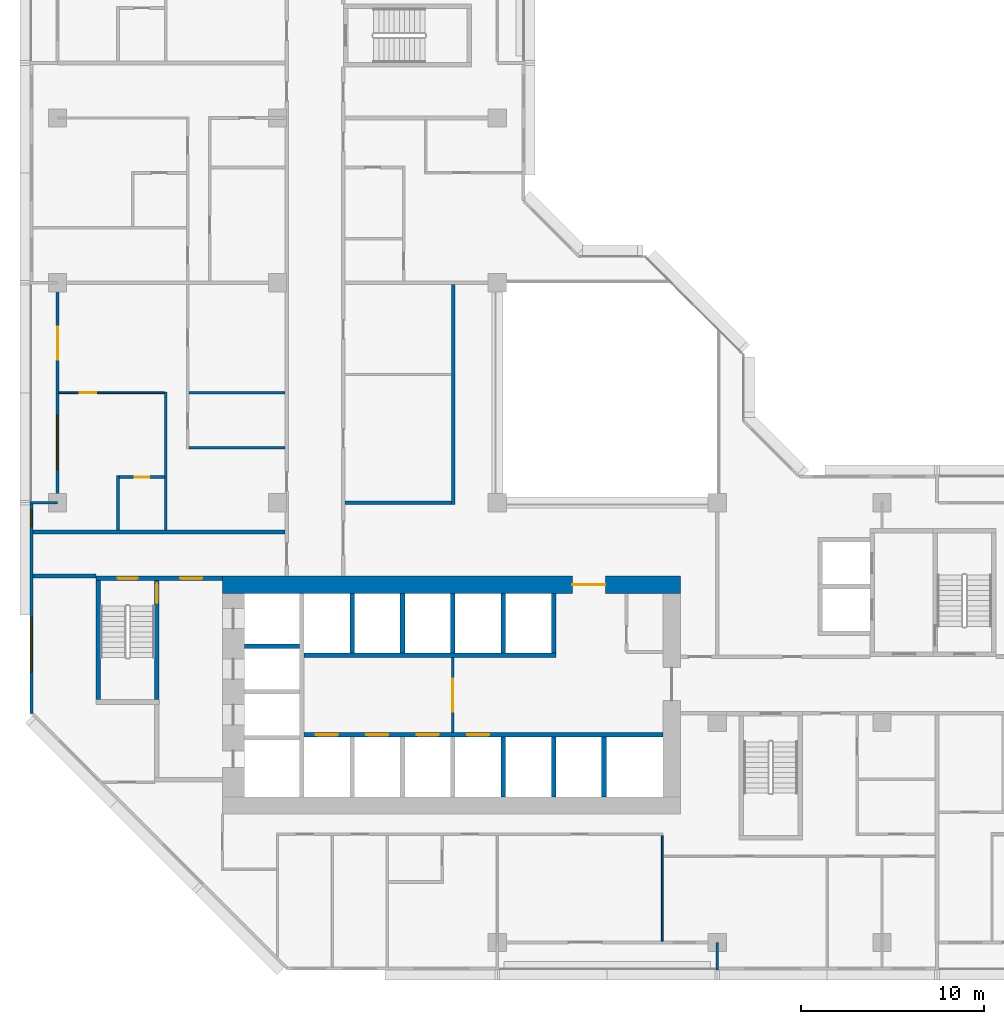
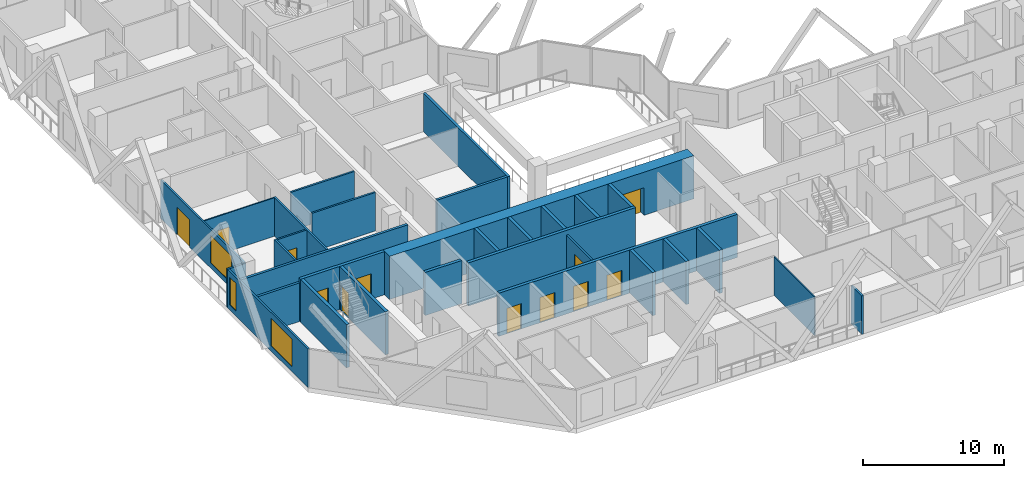
# One storey, part 5 of 15: 31 walls, 12 doors, 3 windows, 15 openings.
"""IFC4 building model written with IfcOpenShell, lengths in metres."""

from ifc_helpers import new_model, si_unit, direction, frame, frame_2d, origin, place, context, subcontext, project, spatial, rectangle, extrude, material, layer, layer_set, type_object, element, fill, save


model = new_model("IFC4")

# Units and contexts
model_context = context("Model", 3, precision=1e-05, world=origin(), true_north=direction((0.0, 1.0)))
body_context = subcontext(model_context, "Body", "Model", "MODEL_VIEW")
ifc_project = project(units=[si_unit("LENGTHUNIT", "METRE"), si_unit("AREAUNIT", "SQUARE_METRE"), si_unit("VOLUMEUNIT", "CUBIC_METRE"), si_unit("PLANEANGLEUNIT", "RADIAN"), si_unit("MASSUNIT", "GRAM", prefix="KILO")], contexts=[model_context])

# Site, building, storey
site_placement = place(None, origin())
site = spatial("IfcSite", under=ifc_project, at=site_placement, CompositionType="ELEMENT")
building_placement = place(site_placement, origin())
building = spatial("IfcBuilding", under=site, at=building_placement, Name="Chenar Terraces", CompositionType="ELEMENT")
storey_placement = place(building_placement, frame((0.0, 0.0, 106.89990234375)))
storey = spatial("IfcBuildingStorey", under=building, at=storey_placement, Name="L24", CompositionType="ELEMENT", Elevation=106.89990234375)

# Wall, opening, door
ifc_material_1 = material(Name="Gypsum board on steel studs", Category="steel")
ifc_layer_1 = layer(ifc_material_1, 0.14990234375)
ifc_layer_set_1 = layer_set([ifc_layer_1], Name="Gypsum board on steel studs")
wall_type_1 = type_object("IfcWallType", Name="Core partition 150 gypsum board", PredefinedType="PARTITIONING", material=ifc_layer_set_1)
wall_1_placement = place(storey_placement, frame((21.574951171875, 11.449951171875, 0.0), z_axis=(0.0, 0.0, 1.0), x_axis=(0.0, 1.0, 0.0)))
wall_1 = element("IfcWall", 1, at=wall_1_placement, inside=storey, type_object=wall_type_1, Name="Core partition CP1 lift lobby smoke stop", PredefinedType="PARTITIONING", context=body_context, shape_type="SweptSolid", body=[
    extrude(rectangle(XDim=4.10009765625, YDim=0.14990234375, at=frame_2d((2.050048828125, 0.0))), origin(), (0.0, 0.0, 1.0), 3.35009765625),
])
opening_1_placement = place(wall_1_placement, frame((1.14990234375, 0.0, 0.0)))
opening_1 = element("IfcOpeningElement", 2, at=opening_1_placement, cuts=wall_1, Name="Opening DL24-C12", PredefinedType="OPENING", context=body_context, shape_type="SweptSolid", body=[
    extrude(rectangle(XDim=1.800048828125, YDim=2.39990234375, at=frame_2d((0.89990234375, 1.199951171875))), frame((0.0, 0.0849609375, 0.0), z_axis=(0.0, -1.0, 0.0), x_axis=(1.0, 0.0, 0.0)), (0.0, 0.0, 1.0), 0.169921875),
])
ifc_material_2 = material(Name="Steel-framed fire-resisting door leaf", Category="steel")
door_type_1 = type_object("IfcDoorType", Name="Core entrance double fire door FD60 1800 x 2400", OperationType="DOUBLE_DOOR_SINGLE_SWING", PredefinedType="DOOR", material=ifc_material_2)
door_1_placement = place(opening_1_placement, frame((1.800048828125, 0.0, 0.0), z_axis=(0.0, 0.0, 1.0), x_axis=(-1.0, 0.0, 0.0)))
door_1 = element("IfcDoor", 3, at=door_1_placement, inside=storey, type_object=door_type_1, Name="Core door DL24-C12", OperationType="DOUBLE_DOOR_SINGLE_SWING", OverallHeight=2.39990234375, OverallWidth=1.800048828125, PredefinedType="DOOR", context=body_context, shape_type="SweptSolid", body=[
    extrude(rectangle(XDim=1.800048828125, YDim=2.39990234375, at=frame_2d((0.89990234375, 1.199951171875))), frame((0.0, 0.02490234375, 0.0), z_axis=(0.0, -1.0, 0.0), x_axis=(1.0, 0.0, 0.0)), (0.0, 0.0, 1.0), 0.050048828125),
])
fill(opening_1, door_1)

# Wall, openings, doors
ifc_material_3 = material(Name="Concrete C70/85", Category="concrete")
ifc_layer_2 = layer(ifc_material_3, 0.25)
ifc_layer_set_2 = layer_set([ifc_layer_2], Name="Concrete C70/85")
wall_type_2 = type_object("IfcWallType", Name="Core wall 250 Concrete C70/85", PredefinedType="SHEAR", material=ifc_layer_set_2)
wall_2_placement = place(storey_placement, frame((13.449951171875, 11.324951171875, 0.0), z_axis=(0.0, 0.0, 1.0), x_axis=(1.0, 0.0, 0.0)))
wall_2 = element("IfcWall", 4, at=wall_2_placement, inside=storey, type_object=wall_type_2, Name="Core wall SF L24", PredefinedType="SHEAR", context=body_context, shape_type="SweptSolid", body=[
    extrude(rectangle(XDim=19.60009765625, YDim=0.25, at=frame_2d((9.800048828125, 0.0))), origin(), (0.0, 0.0, 1.0), 3.75),
])
opening_2_placement = place(wall_2_placement, frame((0.64990234375, 0.0, 0.0)))
opening_2 = element("IfcOpeningElement", 5, at=opening_2_placement, cuts=wall_2, Name="Opening DL24-LD1", PredefinedType="OPENING", context=body_context, shape_type="SweptSolid", body=[
    extrude(rectangle(XDim=1.199951171875, YDim=2.199951171875, at=frame_2d((0.60009765625, 1.10009765625))), frame((0.0, 0.135009765625, 0.0), z_axis=(0.0, -1.0, 0.0), x_axis=(1.0, 0.0, 0.0)), (0.0, 0.0, 1.0), 0.27001953125),
])
opening_3_placement = place(wall_2_placement, frame((3.39990234375, 0.0, 0.0)))
opening_3 = element("IfcOpeningElement", 6, at=opening_3_placement, cuts=wall_2, Name="Opening DL24-LD2", PredefinedType="OPENING", context=body_context, shape_type="SweptSolid", body=[
    extrude(rectangle(XDim=1.199951171875, YDim=2.199951171875, at=frame_2d((0.60009765625, 1.10009765625))), frame((0.0, 0.135009765625, 0.0), z_axis=(0.0, -1.0, 0.0), x_axis=(1.0, 0.0, 0.0)), (0.0, 0.0, 1.0), 0.27001953125),
])
opening_4_placement = place(wall_2_placement, frame((6.14990234375, 0.0, 0.0)))
opening_4 = element("IfcOpeningElement", 7, at=opening_4_placement, cuts=wall_2, Name="Opening DL24-LD3", PredefinedType="OPENING", context=body_context, shape_type="SweptSolid", body=[
    extrude(rectangle(XDim=1.199951171875, YDim=2.199951171875, at=frame_2d((0.60009765625, 1.10009765625))), frame((0.0, 0.135009765625, 0.0), z_axis=(0.0, -1.0, 0.0), x_axis=(1.0, 0.0, 0.0)), (0.0, 0.0, 1.0), 0.27001953125),
])
opening_5_placement = place(wall_2_placement, frame((8.89990234375, 0.0, 0.0)))
opening_5 = element("IfcOpeningElement", 8, at=opening_5_placement, cuts=wall_2, Name="Opening DL24-LD4", PredefinedType="OPENING", context=body_context, shape_type="SweptSolid", body=[
    extrude(rectangle(XDim=1.199951171875, YDim=2.199951171875, at=frame_2d((0.60009765625, 1.10009765625))), frame((0.0, 0.135009765625, 0.0), z_axis=(0.0, -1.0, 0.0), x_axis=(1.0, 0.0, 0.0)), (0.0, 0.0, 1.0), 0.27001953125),
])
ifc_material_4 = material(Name="Stainless steel", Category="steel")
door_type_2 = type_object("IfcDoorType", Name="Lift landing door 1200 x 2200 sliding", OperationType="DOUBLE_DOOR_SLIDING", PredefinedType="DOOR", material=ifc_material_4)
door_2_placement = place(opening_2_placement, origin())
door_2 = element("IfcDoor", 9, at=door_2_placement, inside=storey, type_object=door_type_2, Name="Landing door L1", OperationType="DOUBLE_DOOR_SLIDING", OverallHeight=2.199951171875, OverallWidth=1.199951171875, PredefinedType="DOOR", context=body_context, shape_type="SweptSolid", body=[
    extrude(rectangle(XDim=1.199951171875, YDim=2.199951171875, at=frame_2d((0.60009765625, 1.10009765625))), frame((0.0, 0.02490234375, 0.0), z_axis=(0.0, -1.0, 0.0), x_axis=(1.0, 0.0, 0.0)), (0.0, 0.0, 1.0), 0.050048828125),
])
fill(opening_2, door_2)
door_3_placement = place(opening_3_placement, origin())
door_3 = element("IfcDoor", 10, at=door_3_placement, inside=storey, type_object=door_type_2, Name="Landing door L2", OperationType="DOUBLE_DOOR_SLIDING", OverallHeight=2.199951171875, OverallWidth=1.199951171875, PredefinedType="DOOR", context=body_context, shape_type="SweptSolid", body=[
    extrude(rectangle(XDim=1.199951171875, YDim=2.199951171875, at=frame_2d((0.60009765625, 1.10009765625))), frame((0.0, 0.02490234375, 0.0), z_axis=(0.0, -1.0, 0.0), x_axis=(1.0, 0.0, 0.0)), (0.0, 0.0, 1.0), 0.050048828125),
])
fill(opening_3, door_3)
door_4_placement = place(opening_4_placement, origin())
door_4 = element("IfcDoor", 11, at=door_4_placement, inside=storey, type_object=door_type_2, Name="Landing door L3", OperationType="DOUBLE_DOOR_SLIDING", OverallHeight=2.199951171875, OverallWidth=1.199951171875, PredefinedType="DOOR", context=body_context, shape_type="SweptSolid", body=[
    extrude(rectangle(XDim=1.199951171875, YDim=2.199951171875, at=frame_2d((0.60009765625, 1.10009765625))), frame((0.0, 0.02490234375, 0.0), z_axis=(0.0, -1.0, 0.0), x_axis=(1.0, 0.0, 0.0)), (0.0, 0.0, 1.0), 0.050048828125),
])
fill(opening_4, door_4)
door_5_placement = place(opening_5_placement, origin())
door_5 = element("IfcDoor", 12, at=door_5_placement, inside=storey, type_object=door_type_2, Name="Landing door L4", OperationType="DOUBLE_DOOR_SLIDING", OverallHeight=2.199951171875, OverallWidth=1.199951171875, PredefinedType="DOOR", context=body_context, shape_type="SweptSolid", body=[
    extrude(rectangle(XDim=1.199951171875, YDim=2.199951171875, at=frame_2d((0.60009765625, 1.10009765625))), frame((0.0, 0.02490234375, 0.0), z_axis=(0.0, -1.0, 0.0), x_axis=(1.0, 0.0, 0.0)), (0.0, 0.0, 1.0), 0.050048828125),
])
fill(opening_5, door_5)

# Walls
wall_3_placement = place(storey_placement, frame((13.449951171875, 15.675048828125, 0.0), z_axis=(0.0, 0.0, 1.0), x_axis=(1.0, 0.0, 0.0)))
element("IfcWall", 13, at=wall_3_placement, inside=storey, type_object=wall_type_2, Name="Core wall NF L24", PredefinedType="SHEAR", context=body_context, shape_type="SweptSolid", body=[
    extrude(rectangle(XDim=13.75, YDim=0.25, at=frame_2d((6.875, 0.0))), origin(), (0.0, 0.0, 1.0), 3.75),
])
wall_4_placement = place(storey_placement, frame((10.199951171875, 16.175048828125, 0.0), z_axis=(0.0, 0.0, 1.0), x_axis=(1.0, 0.0, 0.0)))
element("IfcWall", 14, at=wall_4_placement, inside=storey, type_object=wall_type_2, Name="Core wall HW2 L24", PredefinedType="SHEAR", context=body_context, shape_type="SweptSolid", body=[
    extrude(rectangle(XDim=3.0, YDim=0.25, at=frame_2d((1.5, 0.0))), origin(), (0.0, 0.0, 1.0), 3.75),
])
for number, where, z_axis, x_axis, name in (
    (15, (24.324951171875, 7.949951171875, 0.0), (0.0, 0.0, 1.0), (0.0, 1.0, 0.0), "Core wall SS3 L24"),
    (16, (27.074951171875, 7.949951171875, 0.0), (0.0, 0.0, 1.0), (0.0, 1.0, 0.0), "Core wall SS4 L24"),
    (17, (29.824951171875, 7.949951171875, 0.0), (0.0, 0.0, 1.0), (0.0, 1.0, 0.0), "Core wall SS5 L24"),
    (18, (16.074951171875, 15.800048828125, 0.0), (0.0, 0.0, 1.0), (0.0, 1.0, 0.0), "Core wall NS0 L24"),
    (19, (18.824951171875, 15.800048828125, 0.0), (0.0, 0.0, 1.0), (0.0, 1.0, 0.0), "Core wall NS1 L24"),
    (20, (21.574951171875, 15.800048828125, 0.0), (0.0, 0.0, 1.0), (0.0, 1.0, 0.0), "Core wall NS2 L24"),
    (21, (24.324951171875, 15.800048828125, 0.0), (0.0, 0.0, 1.0), (0.0, 1.0, 0.0), "Core wall NS3 L24"),
    (22, (27.074951171875, 15.800048828125, 0.0), (0.0, 0.0, 1.0), (0.0, 1.0, 0.0), "Core wall NE L24"),
):
    element("IfcWall", number, at=place(storey_placement, frame(where, z_axis=z_axis, x_axis=x_axis)), inside=storey, type_object=wall_type_2, Name=name, PredefinedType="SHEAR", context=body_context, shape_type="SweptSolid", body=[
        extrude(rectangle(XDim=3.25, YDim=0.25, at=frame_2d((1.625, 0.0))), origin(), (0.0, 0.0, 1.0), 3.75),
    ])

# Wall, openings, doors
wall_5_placement = place(storey_placement, frame((2.10009765625, 19.875, 0.0), z_axis=(0.0, 0.0, 1.0), x_axis=(1.0, 0.0, 0.0)))
wall_5 = element("IfcWall", 23, at=wall_5_placement, inside=storey, type_object=wall_type_2, Name="Core wall A_N L24", PredefinedType="SHEAR", context=body_context, shape_type="SweptSolid", body=[
    extrude(rectangle(XDim=6.89990234375, YDim=0.25, at=frame_2d((3.449951171875, 0.0))), origin(), (0.0, 0.0, 1.0), 3.75),
])
opening_6_placement = place(wall_5_placement, frame((1.175048828125, 0.0, 0.0)))
opening_6 = element("IfcOpeningElement", 24, at=opening_6_placement, cuts=wall_5, Name="Opening DL24-C5", PredefinedType="OPENING", context=body_context, shape_type="SweptSolid", body=[
    extrude(rectangle(XDim=1.10009765625, YDim=2.199951171875, at=frame_2d((0.550048828125, 1.10009765625))), frame((0.0, 0.135009765625, 0.0), z_axis=(0.0, -1.0, 0.0), x_axis=(1.0, 0.0, 0.0)), (0.0, 0.0, 1.0), 0.27001953125),
])
opening_7_placement = place(wall_5_placement, frame((4.60009765625, 0.0, 0.0)))
opening_7 = element("IfcOpeningElement", 25, at=opening_7_placement, cuts=wall_5, Name="Opening DL24-C6", PredefinedType="OPENING", context=body_context, shape_type="SweptSolid", body=[
    extrude(rectangle(XDim=1.199951171875, YDim=2.199951171875, at=frame_2d((0.60009765625, 1.10009765625))), frame((0.0, 0.135009765625, 0.0), z_axis=(0.0, -1.0, 0.0), x_axis=(1.0, 0.0, 0.0)), (0.0, 0.0, 1.0), 0.27001953125),
])
ifc_material_5 = material(Name="Steel-framed fire-resisting door leaf", Category="steel")
door_type_3 = type_object("IfcDoorType", Name="Lobby fire door FD60 1200 x 2200", OperationType="SINGLE_SWING_LEFT", PredefinedType="DOOR", material=ifc_material_5)
door_6_placement = place(opening_7_placement, frame((1.199951171875, 0.0, 0.0), z_axis=(0.0, 0.0, 1.0), x_axis=(-1.0, 0.0, 0.0)))
door_6 = element("IfcDoor", 26, at=door_6_placement, inside=storey, type_object=door_type_3, Name="Core door DL24-C6", OperationType="SINGLE_SWING_LEFT", OverallHeight=2.199951171875, OverallWidth=1.199951171875, PredefinedType="DOOR", context=body_context, shape_type="SweptSolid", body=[
    extrude(rectangle(XDim=1.199951171875, YDim=2.199951171875, at=frame_2d((0.60009765625, 1.10009765625))), frame((0.0, 0.02490234375, 0.0), z_axis=(0.0, -1.0, 0.0), x_axis=(1.0, 0.0, 0.0)), (0.0, 0.0, 1.0), 0.050048828125),
])
fill(opening_7, door_6)
ifc_material_6 = material(Name="Steel-framed fire-resisting door leaf", Category="steel")
door_type_4 = type_object("IfcDoorType", Name="Stair fire door FD60 1100 x 2200", OperationType="SINGLE_SWING_LEFT", PredefinedType="DOOR", material=ifc_material_6)
door_7_placement = place(opening_6_placement, origin())
door_7 = element("IfcDoor", 27, at=door_7_placement, inside=storey, type_object=door_type_4, Name="Stair door DL24-C5", OperationType="SINGLE_SWING_LEFT", OverallHeight=2.199951171875, OverallWidth=1.10009765625, PredefinedType="DOOR", context=body_context, shape_type="SweptSolid", body=[
    extrude(rectangle(XDim=1.10009765625, YDim=2.199951171875, at=frame_2d((0.550048828125, 1.10009765625))), frame((0.0, 0.02490234375, 0.0), z_axis=(0.0, -1.0, 0.0), x_axis=(1.0, 0.0, 0.0)), (0.0, 0.0, 1.0), 0.050048828125),
])
fill(opening_6, door_7)

# Wall
wall_6_placement = place(storey_placement, frame((2.22509765625, 13.25, 0.0), z_axis=(0.0, 0.0, 1.0), x_axis=(0.0, 1.0, 0.0)))
element("IfcWall", 28, at=wall_6_placement, inside=storey, type_object=wall_type_2, Name="Core wall ST1_W L24", PredefinedType="SHEAR", context=body_context, shape_type="SweptSolid", body=[
    extrude(rectangle(XDim=6.5, YDim=0.25, at=frame_2d((3.25, 0.0))), origin(), (0.0, 0.0, 1.0), 3.75),
])

# Wall, opening, door
wall_7_placement = place(storey_placement, frame((5.425048828125, 13.25, 0.0), z_axis=(0.0, 0.0, 1.0), x_axis=(0.0, 1.0, 0.0)))
wall_7 = element("IfcWall", 29, at=wall_7_placement, inside=storey, type_object=wall_type_2, Name="Core wall ST1_E L24", PredefinedType="SHEAR", context=body_context, shape_type="SweptSolid", body=[
    extrude(rectangle(XDim=6.5, YDim=0.25, at=frame_2d((3.25, 0.0))), origin(), (0.0, 0.0, 1.0), 3.75),
])
opening_8_placement = place(wall_7_placement, frame((5.25, 0.0, 0.0)))
opening_8 = element("IfcOpeningElement", 30, at=opening_8_placement, cuts=wall_7, Name="Opening DL24-C3", PredefinedType="OPENING", context=body_context, shape_type="SweptSolid", body=[
    extrude(rectangle(XDim=1.10009765625, YDim=2.199951171875, at=frame_2d((0.550048828125, 1.10009765625))), frame((0.0, 0.135009765625, 0.0), z_axis=(0.0, -1.0, 0.0), x_axis=(1.0, 0.0, 0.0)), (0.0, 0.0, 1.0), 0.27001953125),
])
door_8_placement = place(opening_8_placement, origin())
door_8 = element("IfcDoor", 31, at=door_8_placement, inside=storey, type_object=door_type_4, Name="Stair door DL24-C3", OperationType="SINGLE_SWING_RIGHT", OverallHeight=2.199951171875, OverallWidth=1.10009765625, PredefinedType="DOOR", context=body_context, shape_type="SweptSolid", body=[
    extrude(rectangle(XDim=1.10009765625, YDim=2.199951171875, at=frame_2d((0.550048828125, 1.10009765625))), frame((0.0, 0.02490234375, 0.0), z_axis=(0.0, -1.0, 0.0), x_axis=(1.0, 0.0, 0.0)), (0.0, 0.0, 1.0), 0.050048828125),
])
fill(opening_8, door_8)

ifc_material_7 = material(Name="Concrete C70/85", Category="concrete")
ifc_layer_3 = layer(ifc_material_7, 0.949951171875)
ifc_layer_set_3 = layer_set([ifc_layer_3], Name="Concrete C70/85")
wall_type_3 = type_object("IfcWallType", Name="Core wall 950 Concrete C70/85", PredefinedType="SHEAR", material=ifc_layer_set_3)
wall_8_placement = place(storey_placement, frame((9.0, 19.52490234375, 0.0), z_axis=(0.0, 0.0, 1.0), x_axis=(1.0, 0.0, 0.0)))
wall_8 = element("IfcWall", 32, at=wall_8_placement, inside=storey, type_object=wall_type_3, Name="Core wall N L24", PredefinedType="SHEAR", context=body_context, shape_type="SweptSolid", body=[
    extrude(rectangle(XDim=25.0, YDim=0.949951171875, at=frame_2d((12.5, 0.0))), origin(), (0.0, 0.0, 1.0), 3.75),
])
opening_9_placement = place(wall_8_placement, frame((19.10009765625, 0.0, 0.0)))
opening_9 = element("IfcOpeningElement", 33, at=opening_9_placement, cuts=wall_8, Name="Opening DL24-C2", PredefinedType="OPENING", context=body_context, shape_type="SweptSolid", body=[
    extrude(rectangle(XDim=1.800048828125, YDim=2.39990234375, at=frame_2d((0.89990234375, 1.199951171875))), frame((0.0, 0.48486328125, 0.0), z_axis=(0.0, -1.0, 0.0), x_axis=(1.0, 0.0, 0.0)), (0.0, 0.0, 1.0), 0.969970703125),
])
door_9_placement = place(opening_9_placement, frame((1.800048828125, 0.0, 0.0), z_axis=(0.0, 0.0, 1.0), x_axis=(-1.0, 0.0, 0.0)))
door_9 = element("IfcDoor", 34, at=door_9_placement, inside=storey, type_object=door_type_1, Name="Core door DL24-C2", OperationType="DOUBLE_DOOR_SINGLE_SWING", OverallHeight=2.39990234375, OverallWidth=1.800048828125, PredefinedType="DOOR", context=body_context, shape_type="SweptSolid", body=[
    extrude(rectangle(XDim=1.800048828125, YDim=2.39990234375, at=frame_2d((0.89990234375, 1.199951171875))), frame((0.0, 0.02490234375, 0.0), z_axis=(0.0, -1.0, 0.0), x_axis=(1.0, 0.0, 0.0)), (0.0, 0.0, 1.0), 0.050048828125),
])
fill(opening_9, door_9)

# Walls
ifc_material_8 = material(Name="Gypsum board on steel studs with fire boards", Category="steel")
ifc_layer_4 = layer(ifc_material_8, 0.199951171875)
ifc_layer_set_4 = layer_set([ifc_layer_4], Name="Gypsum board on steel studs with fire boards")
wall_type_4 = type_object("IfcWallType", Name="Corridor wall 200", PredefinedType="PARTITIONING", material=ifc_layer_set_4)
wall_9_placement = place(storey_placement, frame((-1.35009765625, 20.0, 0.0), z_axis=(0.0, 0.0, 1.0), x_axis=(1.0, 0.0, 0.0)))
element("IfcWall", 35, at=wall_9_placement, inside=storey, type_object=wall_type_4, Name="Partition L24-002", PredefinedType="PARTITIONING", context=body_context, shape_type="SweptSolid", body=[
    extrude(rectangle(XDim=3.4501953125, YDim=0.199951171875, at=frame_2d((1.72509765625, 0.0))), origin(), (0.0, 0.0, 1.0), 3.35009765625),
])
wall_10_placement = place(storey_placement, frame((-1.35009765625, 22.39990234375, 0.0), z_axis=(0.0, 0.0, 1.0), x_axis=(1.0, 0.0, 0.0)))
element("IfcWall", 36, at=wall_10_placement, inside=storey, type_object=wall_type_4, Name="Partition L24-003", PredefinedType="PARTITIONING", context=body_context, shape_type="SweptSolid", body=[
    extrude(rectangle(XDim=13.75, YDim=0.199951171875, at=frame_2d((6.875, 0.0))), origin(), (0.0, 0.0, 1.0), 3.35009765625),
])
wall_11_placement = place(storey_placement, frame((15.699951171875, 24.0, 0.0), z_axis=(0.0, 0.0, 1.0), x_axis=(1.0, 0.0, 0.0)))
element("IfcWall", 37, at=wall_11_placement, inside=storey, type_object=wall_type_4, Name="Partition L24-038", PredefinedType="PARTITIONING", context=body_context, shape_type="SweptSolid", body=[
    extrude(rectangle(XDim=5.800048828125, YDim=0.199951171875, at=frame_2d((2.89990234375, 0.0))), origin(), (0.0, 0.0, 1.0), 3.35009765625),
])
wall_12_placement = place(storey_placement, frame((21.60009765625, 23.89990234375, 0.0), z_axis=(0.0, 0.0, 1.0), x_axis=(0.0, 1.0, 0.0)))
element("IfcWall", 38, at=wall_12_placement, inside=storey, type_object=wall_type_4, Name="Partition L24-057", PredefinedType="PARTITIONING", context=body_context, shape_type="SweptSolid", body=[
    extrude(rectangle(XDim=12.0, YDim=0.199951171875, at=frame_2d((6.0, 0.0))), origin(), (0.0, 0.0, 1.0), 3.35009765625),
])

# Wall, openings, windows
ifc_material_9 = material(Name="Aluminium framed glazing", Category="aluminium")
ifc_layer_5 = layer(ifc_material_9, 0.14990234375)
ifc_layer_set_5 = layer_set([ifc_layer_5], Name="Aluminium framed glazing")
wall_type_5 = type_object("IfcWallType", Name="Glazed flush facade wall 150", PredefinedType="SOLIDWALL", material=ifc_layer_set_5)
wall_13_placement = place(storey_placement, frame((-1.425048828125, 23.925048828125, 0.0), z_axis=(0.0, 0.0, 1.0), x_axis=(0.0, -1.0, 0.0)))
wall_13 = element("IfcWall", 39, at=wall_13_placement, inside=storey, type_object=wall_type_5, Name="Glazed flush facade wall", PredefinedType="SOLIDWALL", context=body_context, shape_type="SweptSolid", body=[
    extrude(rectangle(XDim=11.425048828125, YDim=0.14990234375, at=frame_2d((5.71240234375, 0.0))), origin(), (0.0, 0.0, 1.0), 3.35009765625),
])
opening_10_placement = place(wall_13_placement, frame((0.3125, 0.0, 0.449951171875)))
opening_10 = element("IfcOpeningElement", 40, at=opening_10_placement, cuts=wall_13, Name="Opening W90x240", PredefinedType="OPENING", context=body_context, shape_type="SweptSolid", body=[
    extrude(rectangle(XDim=0.89990234375, YDim=2.39990234375, at=frame_2d((0.449951171875, 1.199951171875))), frame((0.0, 0.0849609375, 0.0), z_axis=(0.0, -1.0, 0.0), x_axis=(1.0, 0.0, 0.0)), (0.0, 0.0, 1.0), 0.169921875),
])
opening_11_placement = place(wall_13_placement, frame((6.175048828125, 0.0, 0.449951171875)))
opening_11 = element("IfcOpeningElement", 41, at=opening_11_placement, cuts=wall_13, Name="Opening W300x240", PredefinedType="OPENING", context=body_context, shape_type="SweptSolid", body=[
    extrude(rectangle(XDim=3.0, YDim=2.39990234375, at=frame_2d((1.5, 1.199951171875))), frame((0.0, 0.0849609375, 0.0), z_axis=(0.0, -1.0, 0.0), x_axis=(1.0, 0.0, 0.0)), (0.0, 0.0, 1.0), 0.169921875),
])
ifc_material_10 = material(Name="Low emissivity double glazing, aluminium frame", Category="aluminium")
window_type_1 = type_object("IfcWindowType", Name="Fixed light 3000 x 2400", PartitioningType="SINGLE_PANEL", PredefinedType="WINDOW", material=ifc_material_10)
window_1_placement = place(opening_11_placement, origin())
window_1 = element("IfcWindow", 42, at=window_1_placement, inside=storey, type_object=window_type_1, Name="Window", OverallHeight=2.39990234375, OverallWidth=3.0, PartitioningType="SINGLE_PANEL", PredefinedType="WINDOW", context=body_context, shape_type="SweptSolid", body=[
    extrude(rectangle(XDim=3.0, YDim=2.39990234375, at=frame_2d((1.5, 1.199951171875))), frame((0.0, 0.030029296875, 0.0), z_axis=(0.0, -1.0, 0.0), x_axis=(1.0, 0.0, 0.0)), (0.0, 0.0, 1.0), 0.06005859375),
])
fill(opening_11, window_1)
ifc_material_11 = material(Name="Low emissivity double glazing, aluminium frame", Category="aluminium")
window_type_2 = type_object("IfcWindowType", Name="Fixed light 900 x 2400", PartitioningType="SINGLE_PANEL", PredefinedType="WINDOW", material=ifc_material_11)
window_2_placement = place(opening_10_placement, origin())
window_2 = element("IfcWindow", 43, at=window_2_placement, inside=storey, type_object=window_type_2, Name="Window", OverallHeight=2.39990234375, OverallWidth=0.89990234375, PartitioningType="SINGLE_PANEL", PredefinedType="WINDOW", context=body_context, shape_type="SweptSolid", body=[
    extrude(rectangle(XDim=0.89990234375, YDim=2.39990234375, at=frame_2d((0.449951171875, 1.199951171875))), frame((0.0, 0.030029296875, 0.0), z_axis=(0.0, -1.0, 0.0), x_axis=(1.0, 0.0, 0.0)), (0.0, 0.0, 1.0), 0.06005859375),
])
fill(opening_10, window_2)

# Wall, openings, window, door
ifc_material_12 = material(Name="Aluminium framed glazing", Category="aluminium")
ifc_layer_6 = layer(ifc_material_12, 0.14990234375)
ifc_layer_set_6 = layer_set([ifc_layer_6], Name="Aluminium framed glazing")
wall_type_6 = type_object("IfcWallType", Name="Glazed loggia back wall 150", PredefinedType="SOLIDWALL", material=ifc_layer_set_6)
wall_14_placement = place(storey_placement, frame((0.0, 35.925048828125, 0.0), z_axis=(0.0, 0.0, 1.0), x_axis=(0.0, -1.0, 0.0)))
wall_14 = element("IfcWall", 44, at=wall_14_placement, inside=storey, type_object=wall_type_6, Name="Glazed loggia back wall", PredefinedType="SOLIDWALL", context=body_context, shape_type="SweptSolid", body=[
    extrude(rectangle(XDim=11.85009765625, YDim=0.14990234375, at=frame_2d((5.925048828125, 0.0))), origin(), (0.0, 0.0, 1.0), 3.35009765625),
])
opening_12_placement = place(wall_14_placement, frame((2.324951171875, 0.0, 0.0)))
opening_12 = element("IfcOpeningElement", 45, at=opening_12_placement, cuts=wall_14, Name="Opening DL24-G5", PredefinedType="OPENING", context=body_context, shape_type="SweptSolid", body=[
    extrude(rectangle(XDim=1.800048828125, YDim=2.39990234375, at=frame_2d((0.89990234375, 1.199951171875))), frame((0.0, 0.0849609375, 0.0), z_axis=(0.0, -1.0, 0.0), x_axis=(1.0, 0.0, 0.0)), (0.0, 0.0, 1.0), 0.169921875),
])
opening_13_placement = place(wall_14_placement, frame((7.125, 0.0, 0.449951171875)))
opening_13 = element("IfcOpeningElement", 46, at=opening_13_placement, cuts=wall_14, Name="Opening W300x240", PredefinedType="OPENING", context=body_context, shape_type="SweptSolid", body=[
    extrude(rectangle(XDim=3.0, YDim=2.39990234375, at=frame_2d((1.5, 1.199951171875))), frame((0.0, 0.0849609375, 0.0), z_axis=(0.0, -1.0, 0.0), x_axis=(1.0, 0.0, 0.0)), (0.0, 0.0, 1.0), 0.169921875),
])
window_3_placement = place(opening_13_placement, origin())
window_3 = element("IfcWindow", 47, at=window_3_placement, inside=storey, type_object=window_type_1, Name="Window", OverallHeight=2.39990234375, OverallWidth=3.0, PartitioningType="SINGLE_PANEL", PredefinedType="WINDOW", context=body_context, shape_type="SweptSolid", body=[
    extrude(rectangle(XDim=3.0, YDim=2.39990234375, at=frame_2d((1.5, 1.199951171875))), frame((0.0, 0.030029296875, 0.0), z_axis=(0.0, -1.0, 0.0), x_axis=(1.0, 0.0, 0.0)), (0.0, 0.0, 1.0), 0.06005859375),
])
fill(opening_13, window_3)
ifc_material_13 = material(Name="Low emissivity double glazing, aluminium frame", Category="aluminium")
door_type_5 = type_object("IfcDoorType", Name="Loggia glazed double door 1800 x 2400", OperationType="DOUBLE_DOOR_SINGLE_SWING", PredefinedType="DOOR", material=ifc_material_13)
door_10_placement = place(opening_12_placement, frame((1.800048828125, 0.0, 0.0), z_axis=(0.0, 0.0, 1.0), x_axis=(-1.0, 0.0, 0.0)))
door_10 = element("IfcDoor", 48, at=door_10_placement, inside=storey, type_object=door_type_5, Name="Loggia glazed door", OperationType="DOUBLE_DOOR_SINGLE_SWING", OverallHeight=2.39990234375, OverallWidth=1.800048828125, PredefinedType="DOOR", context=body_context, shape_type="SweptSolid", body=[
    extrude(rectangle(XDim=1.800048828125, YDim=2.39990234375, at=frame_2d((0.89990234375, 1.199951171875))), frame((0.0, 0.02490234375, 0.0), z_axis=(0.0, -1.0, 0.0), x_axis=(1.0, 0.0, 0.0)), (0.0, 0.0, 1.0), 0.050048828125),
])
fill(opening_12, door_10)

# Wall, opening, door
ifc_material_14 = material(Name="Gypsum board on steel studs", Category="steel")
ifc_layer_7 = layer(ifc_material_14, 0.10009765625)
ifc_layer_set_7 = layer_set([ifc_layer_7], Name="Gypsum board on steel studs")
wall_type_7 = type_object("IfcWallType", Name="Gypsum partition 100", PredefinedType="PARTITIONING", material=ifc_layer_set_7)
wall_15_placement = place(storey_placement, frame((0.073974609375, 30.0, 0.0), z_axis=(0.0, 0.0, 1.0), x_axis=(1.0, 0.0, 0.0)))
wall_15 = element("IfcWall", 49, at=wall_15_placement, inside=storey, type_object=wall_type_7, Name="Partition L24-007", PredefinedType="PARTITIONING", context=body_context, shape_type="SweptSolid", body=[
    extrude(rectangle(XDim=5.7509765625, YDim=0.10009765625, at=frame_2d((2.87548828125, 0.0))), origin(), (0.0, 0.0, 1.0), 3.35009765625),
])
opening_14_placement = place(wall_15_placement, frame((1.1259765625, 0.0, 0.0)))
opening_14 = element("IfcOpeningElement", 50, at=opening_14_placement, cuts=wall_15, Name="Opening DL24-65", PredefinedType="OPENING", context=body_context, shape_type="SweptSolid", body=[
    extrude(rectangle(XDim=0.89990234375, YDim=2.10009765625, at=frame_2d((0.449951171875, 1.050048828125))), frame((0.0, 0.06005859375, 0.0), z_axis=(0.0, -1.0, 0.0), x_axis=(1.0, 0.0, 0.0)), (0.0, 0.0, 1.0), 0.1201171875),
])
ifc_material_15 = material(Name="Veneered timber door leaf", Category="wood")
door_type_6 = type_object("IfcDoorType", Name="Door 900 x 2100", OperationType="SINGLE_SWING_LEFT", PredefinedType="DOOR", material=ifc_material_15)
door_11_placement = place(opening_14_placement, frame((0.89990234375, 0.0, 0.0), z_axis=(0.0, 0.0, 1.0), x_axis=(-1.0, 0.0, 0.0)))
door_11 = element("IfcDoor", 51, at=door_11_placement, inside=storey, type_object=door_type_6, Name="Door DL24-65", OperationType="SINGLE_SWING_RIGHT", OverallHeight=2.10009765625, OverallWidth=0.89990234375, PredefinedType="DOOR", context=body_context, shape_type="SweptSolid", body=[
    extrude(rectangle(XDim=0.89990234375, YDim=2.10009765625, at=frame_2d((0.449951171875, 1.050048828125))), frame((0.0, 0.02490234375, 0.0), z_axis=(0.0, -1.0, 0.0), x_axis=(1.0, 0.0, 0.0)), (0.0, 0.0, 1.0), 0.050048828125),
])
fill(opening_14, door_11)

# Walls
wall_16_placement = place(storey_placement, frame((33.0, 0.073974609375, 0.0), z_axis=(0.0, 0.0, 1.0), x_axis=(0.0, 1.0, 0.0)))
element("IfcWall", 52, at=wall_16_placement, inside=storey, type_object=wall_type_7, Name="Partition L24-059", PredefinedType="PARTITIONING", context=body_context, shape_type="SweptSolid", body=[
    extrude(rectangle(XDim=5.7509765625, YDim=0.10009765625, at=frame_2d((2.87548828125, 0.0))), origin(), (0.0, 0.0, 1.0), 3.35009765625),
])
ifc_material_16 = material(Name="Terracotta cladding on insulated backing", Category="masonry")
ifc_layer_8 = layer(ifc_material_16, 0.14990234375)
ifc_layer_set_8 = layer_set([ifc_layer_8], Name="Terracotta cladding on insulated backing")
wall_type_8 = type_object("IfcWallType", Name="Loggia return wall 150", PredefinedType="SOLIDWALL", material=ifc_layer_set_8)
for number, where, z_axis, x_axis, name in (
    (53, (-1.5, 24.0, 0.0), (0.0, 0.0, 1.0), (1.0, 0.0, 0.0), "Loggia return wall"),
    (54, (36.0, -1.5, 0.0), (0.0, 0.0, 1.0), (0.0, 1.0, 0.0), "Loggia return wall"),
):
    element("IfcWall", number, at=place(storey_placement, frame(where, z_axis=z_axis, x_axis=x_axis)), inside=storey, type_object=wall_type_8, Name=name, PredefinedType="SOLIDWALL", context=body_context, shape_type="SweptSolid", body=[
        extrude(rectangle(XDim=1.5, YDim=0.14990234375, at=frame_2d((0.75, 0.0))), origin(), (0.0, 0.0, 1.0), 3.35009765625),
    ])
ifc_material_17 = material(Name="Moisture-resistant gypsum board on steel studs", Category="steel")
ifc_layer_9 = layer(ifc_material_17, 0.14990234375)
ifc_layer_set_9 = layer_set([ifc_layer_9], Name="Moisture-resistant gypsum board on steel studs")
wall_type_9 = type_object("IfcWallType", Name="Wet-room partition 150", PredefinedType="PARTITIONING", material=ifc_layer_set_9)
wall_17_placement = place(storey_placement, frame((3.300048828125, 22.5, 0.0), z_axis=(0.0, 0.0, 1.0), x_axis=(0.0, 1.0, 0.0)))
element("IfcWall", 55, at=wall_17_placement, inside=storey, type_object=wall_type_9, Name="Partition L24-011", PredefinedType="PARTITIONING", context=body_context, shape_type="SweptSolid", body=[
    extrude(rectangle(XDim=2.97509765625, YDim=0.14990234375, at=frame_2d((1.487548828125, 0.0))), origin(), (0.0, 0.0, 1.0), 3.35009765625),
])

# Wall, opening, door
wall_18_placement = place(storey_placement, frame((3.375, 25.39990234375, 0.0), z_axis=(0.0, 0.0, 1.0), x_axis=(1.0, 0.0, 0.0)))
wall_18 = element("IfcWall", 56, at=wall_18_placement, inside=storey, type_object=wall_type_9, Name="Partition L24-013", PredefinedType="PARTITIONING", context=body_context, shape_type="SweptSolid", body=[
    extrude(rectangle(XDim=2.449951171875, YDim=0.14990234375, at=frame_2d((1.22509765625, 0.0))), origin(), (0.0, 0.0, 1.0), 3.35009765625),
])
opening_15_placement = place(wall_18_placement, frame((0.824951171875, 0.0, 0.0)))
opening_15 = element("IfcOpeningElement", 57, at=opening_15_placement, cuts=wall_18, Name="Opening DL24-66", PredefinedType="OPENING", context=body_context, shape_type="SweptSolid", body=[
    extrude(rectangle(XDim=0.800048828125, YDim=2.10009765625, at=frame_2d((0.39990234375, 1.050048828125))), frame((0.0, 0.0849609375, 0.0), z_axis=(0.0, -1.0, 0.0), x_axis=(1.0, 0.0, 0.0)), (0.0, 0.0, 1.0), 0.169921875),
])
ifc_material_18 = material(Name="Veneered timber door leaf", Category="wood")
door_type_7 = type_object("IfcDoorType", Name="Door 800 x 2100", OperationType="SINGLE_SWING_LEFT", PredefinedType="DOOR", material=ifc_material_18)
door_12_placement = place(opening_15_placement, frame((0.800048828125, 0.0, 0.0), z_axis=(0.0, 0.0, 1.0), x_axis=(-1.0, 0.0, 0.0)))
door_12 = element("IfcDoor", 58, at=door_12_placement, inside=storey, type_object=door_type_7, Name="Door DL24-66", OperationType="SINGLE_SWING_LEFT", OverallHeight=2.10009765625, OverallWidth=0.800048828125, PredefinedType="DOOR", context=body_context, shape_type="SweptSolid", body=[
    extrude(rectangle(XDim=0.800048828125, YDim=2.10009765625, at=frame_2d((0.39990234375, 1.050048828125))), frame((0.0, 0.02490234375, 0.0), z_axis=(0.0, -1.0, 0.0), x_axis=(1.0, 0.0, 0.0)), (0.0, 0.0, 1.0), 0.050048828125),
])
fill(opening_15, door_12)

# Walls
wall_19_placement = place(storey_placement, frame((5.89990234375, 22.5, 0.0), z_axis=(0.0, 0.0, 1.0), x_axis=(0.0, 1.0, 0.0)))
element("IfcWall", 59, at=wall_19_placement, inside=storey, type_object=wall_type_9, Name="Partition L24-017", PredefinedType="PARTITIONING", context=body_context, shape_type="SweptSolid", body=[
    extrude(rectangle(XDim=7.550048828125, YDim=0.14990234375, at=frame_2d((3.77490234375, 0.0))), origin(), (0.0, 0.0, 1.0), 3.35009765625),
])
for number, where, z_axis, x_axis, name in (
    (60, (7.175048828125, 27.0, 0.0), (0.0, 0.0, 1.0), (1.0, 0.0, 0.0), "Partition L24-023"),
    (61, (7.175048828125, 30.0, 0.0), (0.0, 0.0, 1.0), (1.0, 0.0, 0.0), "Partition L24-024"),
):
    element("IfcWall", number, at=place(storey_placement, frame(where, z_axis=z_axis, x_axis=x_axis)), inside=storey, type_object=wall_type_9, Name=name, PredefinedType="PARTITIONING", context=body_context, shape_type="SweptSolid", body=[
        extrude(rectangle(XDim=5.224853515625, YDim=0.14990234375, at=frame_2d((2.6123046875, 0.0))), origin(), (0.0, 0.0, 1.0), 3.35009765625),
    ])

save(model, "model.ifc")
